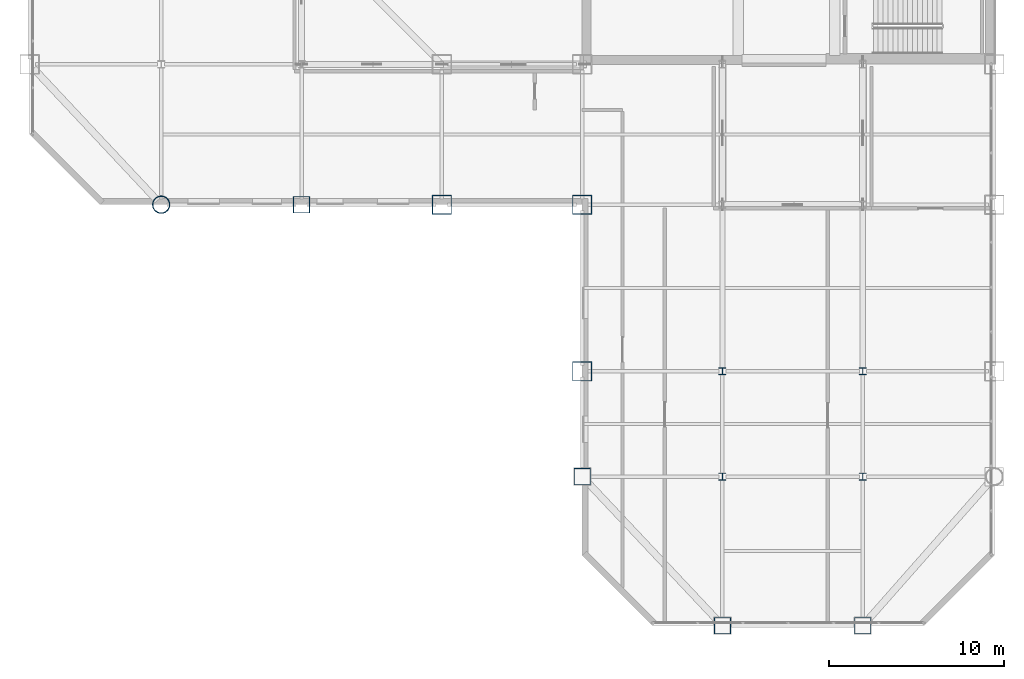
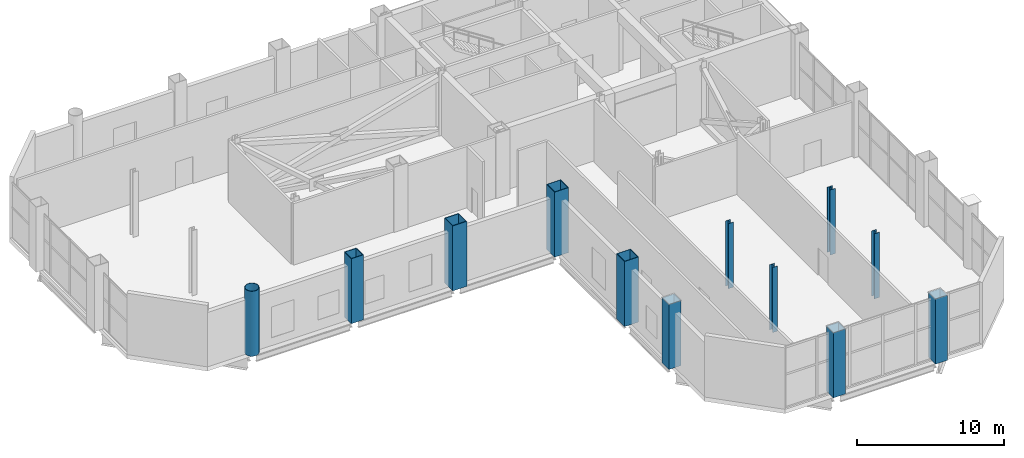
# One storey, part 1 of 24: 12 columns.
"""IFC4 building model written with IfcOpenShell, lengths in metres."""

from ifc_helpers import new_model, si_unit, direction, frame, origin, origin_2d, place, context, subcontext, project, spatial, hollow_rectangle, hollow_circle, i_section, extrude, material, material_profile, profile_set, type_object, element, save


model = new_model("IFC4")

# Units and contexts
model_context = context("Model", 3, precision=1e-05, world=origin(), true_north=direction((0.0, 1.0)))
body_context = subcontext(model_context, "Body", "Model", "MODEL_VIEW")
ifc_project = project(units=[si_unit("LENGTHUNIT", "METRE"), si_unit("AREAUNIT", "SQUARE_METRE"), si_unit("VOLUMEUNIT", "CUBIC_METRE"), si_unit("PLANEANGLEUNIT", "RADIAN"), si_unit("MASSUNIT", "GRAM", prefix="KILO")], contexts=[model_context])

# Site, building, storey
site_placement = place(None, origin())
site = spatial("IfcSite", under=ifc_project, at=site_placement, CompositionType="ELEMENT")
building_placement = place(site_placement, origin())
building = spatial("IfcBuilding", under=site, at=building_placement, Name="Qianrong Seaharbour Tower", CompositionType="ELEMENT")
storey_placement = place(building_placement, frame((0.0, 0.0, 195.0)))
storey = spatial("IfcBuildingStorey", under=building, at=storey_placement, Name="L47", CompositionType="ELEMENT", Elevation=195.0)

# Columns
ifc_material = material(Name="Structural steel SN490B", Category="steel")
ifc_material_profile_1 = material_profile(ifc_material, hollow_rectangle(XDim=1.10009765625, YDim=1.10009765625, WallThickness=0.0400390625, at=origin_2d()), Name="BOX1100x1100x40")
ifc_profile_set_1 = profile_set([ifc_material_profile_1], Name="Structural steel SN490B")
column_type_1 = type_object("IfcColumnType", Name="COL-CFT-1100", PredefinedType="COLUMN", material=ifc_profile_set_1)
for number, where, z_axis, x_axis, name in (
    (1, (32.5, 28.0, 0.0), (0.0, 0.0, 1.0), (1.0, 0.0, 0.0), "L47 Column MC-3 at G5/GE"),
    (2, (40.5, 18.5, 0.0), (0.0, 0.0, 1.0), (1.0, 0.0, 0.0), "L47 Column MC-3 at G6/GD"),
    (3, (40.5, 28.0, 0.0), (0.0, 0.0, 1.0), (1.0, 0.0, 0.0), "L47 Column MC-3 at G6/GE"),
):
    element("IfcColumn", number, at=place(storey_placement, frame(where, z_axis=z_axis, x_axis=x_axis)), inside=storey, type_object=column_type_1, Name=name, PredefinedType="COLUMN", context=body_context, shape_type="SweptSolid", body=[
        extrude(hollow_rectangle(XDim=1.10009765625, YDim=1.10009765625, WallThickness=0.0400390625, at=origin_2d()), origin(), (0.0, 0.0, 1.0), 5.39990234375),
    ])
ifc_material_profile_2 = material_profile(ifc_material, hollow_circle(Radius=0.5, WallThickness=0.035888671875, at=origin_2d()), Name="CHS1000x36")
ifc_profile_set_2 = profile_set([ifc_material_profile_2], Name="Structural steel SN490B")
column_type_2 = type_object("IfcColumnType", Name="COL-CHS-1000", PredefinedType="COLUMN", material=ifc_profile_set_2)
column_placement = place(storey_placement, frame((16.5, 28.0, 0.0), z_axis=(0.0, 0.0, 1.0), x_axis=(1.0, 0.0, 0.0)))
element("IfcColumn", 4, at=column_placement, inside=storey, type_object=column_type_2, Name="L47 Column CC-2 at G3/GE", PredefinedType="COLUMN", context=body_context, shape_type="SweptSolid", body=[
    extrude(hollow_circle(Radius=0.5, WallThickness=0.035888671875, at=origin_2d()), origin(), (0.0, 0.0, 1.0), 5.39990234375),
])
ifc_material_profile_3 = material_profile(ifc_material, i_section(OverallWidth=0.39990234375, OverallDepth=0.39990234375, WebThickness=0.012939453125, FlangeThickness=0.02099609375, FilletRadius=0.02197265625, at=origin_2d()), Name="H400x400x13x21")
ifc_profile_set_3 = profile_set([ifc_material_profile_3], Name="Structural steel SN490B")
column_type_3 = type_object("IfcColumnType", Name="COL-INT-H400", PredefinedType="COLUMN", material=ifc_profile_set_3)
for number, where, z_axis, x_axis, name in (
    (5, (48.5, 12.5, 0.0), (0.0, 0.0, 1.0), (1.0, 0.0, 0.0), "L47 Column IC-3 at G7/GC"),
    (6, (48.5, 18.5, 0.0), (0.0, 0.0, 1.0), (1.0, 0.0, 0.0), "L47 Column IC-3 at G7/GD"),
    (7, (56.5, 12.5, 0.0), (0.0, 0.0, 1.0), (1.0, 0.0, 0.0), "L47 Column IC-3 at G8/GC"),
    (8, (56.5, 18.5, 0.0), (0.0, 0.0, 1.0), (1.0, 0.0, 0.0), "L47 Column IC-3 at G8/GD"),
):
    element("IfcColumn", number, at=place(storey_placement, frame(where, z_axis=z_axis, x_axis=x_axis)), inside=storey, type_object=column_type_3, Name=name, PredefinedType="COLUMN", context=body_context, shape_type="SweptSolid", body=[
        extrude(i_section(OverallWidth=0.39990234375, OverallDepth=0.39990234375, WebThickness=0.012939453125, FlangeThickness=0.02099609375, FilletRadius=0.02197265625, at=origin_2d()), origin(), (0.0, 0.0, 1.0), 5.39990234375),
    ])
ifc_material_profile_4 = material_profile(ifc_material, hollow_rectangle(XDim=0.949951171875, YDim=0.949951171875, WallThickness=0.035888671875, at=origin_2d()), Name="BOX950x950x36")
ifc_profile_set_4 = profile_set([ifc_material_profile_4], Name="Structural steel SN490B")
column_type_4 = type_object("IfcColumnType", Name="COL-PER-950", PredefinedType="COLUMN", material=ifc_profile_set_4)
for number, where, z_axis, x_axis, name in (
    (9, (24.5, 28.0, 0.0), (0.0, 0.0, 1.0), (1.0, 0.0, 0.0), "L47 Column PC-2 at G4/GE"),
    (10, (40.5, 12.5, 0.0), (0.0, 0.0, 1.0), (1.0, 0.0, 0.0), "L47 Column PC-2 at G6/GC"),
    (11, (48.5, 4.0, 0.0), (0.0, 0.0, 1.0), (1.0, 0.0, 0.0), "L47 Column PC-2 at G7/GB"),
    (12, (56.5, 4.0, 0.0), (0.0, 0.0, 1.0), (1.0, 0.0, 0.0), "L47 Column PC-2 at G8/GB"),
):
    element("IfcColumn", number, at=place(storey_placement, frame(where, z_axis=z_axis, x_axis=x_axis)), inside=storey, type_object=column_type_4, Name=name, PredefinedType="COLUMN", context=body_context, shape_type="SweptSolid", body=[
        extrude(hollow_rectangle(XDim=0.949951171875, YDim=0.949951171875, WallThickness=0.035888671875, at=origin_2d()), origin(), (0.0, 0.0, 1.0), 5.39990234375),
    ])

save(model, "model.ifc")
